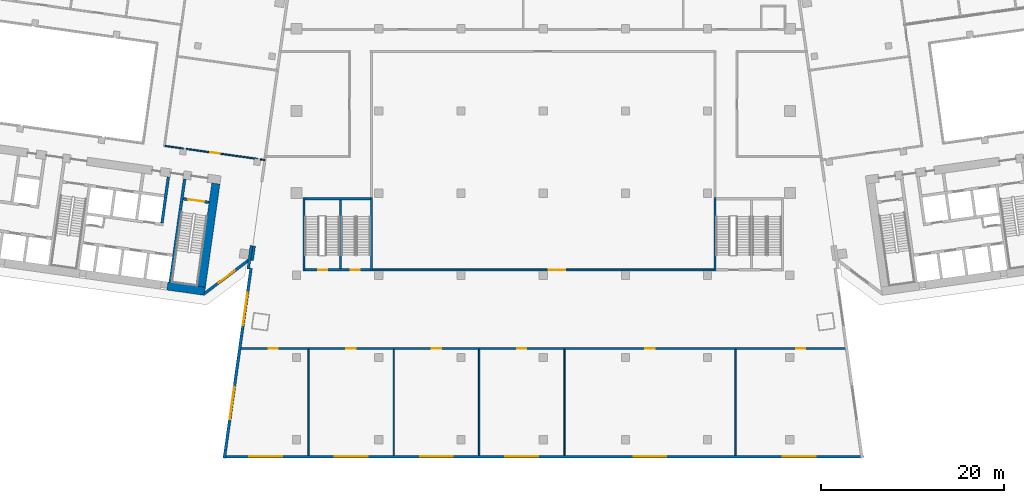
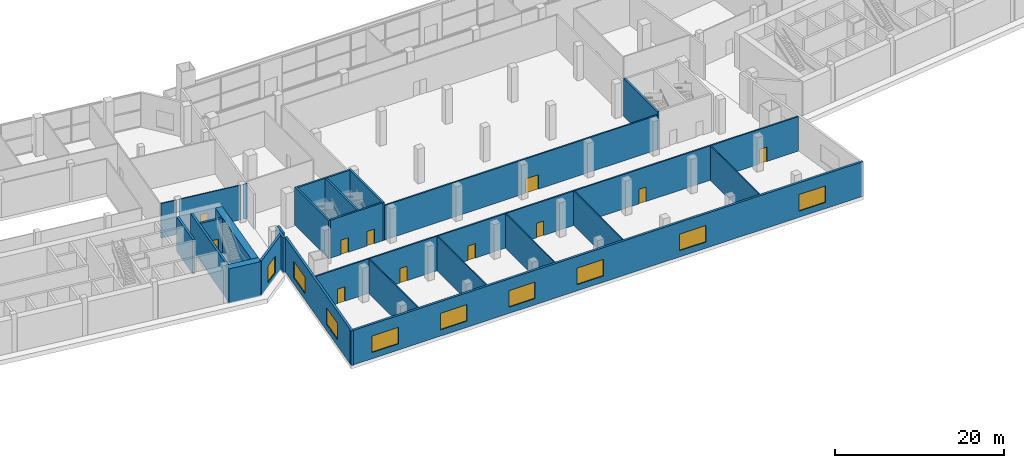
# One storey, part 13 of 23: 26 walls, 11 doors, 9 windows, 20 openings.
"""IFC4 building model written with IfcOpenShell, lengths in metres."""

from ifc_helpers import new_model, si_unit, direction, frame, frame_2d, origin, place, context, subcontext, project, spatial, rectangle, extrude, material, layer, layer_set, type_object, element, fill, save


model = new_model("IFC4")

# Units and contexts
model_context = context("Model", 3, precision=1e-05, world=origin(), true_north=direction((0.0, 1.0)))
body_context = subcontext(model_context, "Body", "Model", "MODEL_VIEW")
ifc_project = project(units=[si_unit("LENGTHUNIT", "METRE"), si_unit("AREAUNIT", "SQUARE_METRE"), si_unit("VOLUMEUNIT", "CUBIC_METRE"), si_unit("PLANEANGLEUNIT", "RADIAN"), si_unit("MASSUNIT", "GRAM", prefix="KILO")], contexts=[model_context])

# Site, building, storey
site_placement = place(None, origin())
site = spatial("IfcSite", under=ifc_project, at=site_placement, CompositionType="ELEMENT")
building_placement = place(site_placement, origin())
building = spatial("IfcBuilding", under=site, at=building_placement, Name="Mirante Cascada Hotel Towers", CompositionType="ELEMENT")
storey_placement = place(building_placement, frame((0.0, 0.0, 23.5)))
storey = spatial("IfcBuildingStorey", under=building, at=storey_placement, Name="L03", CompositionType="ELEMENT", Elevation=23.5)

# Wall
ifc_material_1 = material(Name="Masonry block", Category="masonry")
ifc_layer_1 = layer(ifc_material_1, 0.15)
ifc_layer_set_1 = layer_set([ifc_layer_1], Name="Corridor wall 150 block")
wall_type_1 = type_object("IfcWallType", Name="Corridor wall 150 block", PredefinedType="PARTITIONING", material=ifc_layer_set_1)
wall_1_placement = place(storey_placement, frame((-41.4008, -3.8311, 0.0), z_axis=(0.0, 0.0, 1.0), x_axis=(0.9902711, -0.1391512, 0.0)))
element("IfcWall", 1, at=wall_1_placement, inside=storey, type_object=wall_type_1, Name="Corridor wall T1 L03", PredefinedType="PARTITIONING", context=body_context, shape_type="SweptSolid", body=[
    extrude(rectangle(XDim=2.0108, YDim=0.15, at=frame_2d((1.0054, 0.0))), origin(), (0.0, 0.0, 1.0), 5.0),
])

# Wall, opening, door
wall_2_placement = place(storey_placement, frame((-39.0843, -4.1567, 0.0), z_axis=(0.0, 0.0, 1.0), x_axis=(0.9902676, -0.1391764, 0.0)))
wall_2 = element("IfcWall", 2, at=wall_2_placement, inside=storey, type_object=wall_type_1, Name="Corridor wall T1 L03", PredefinedType="PARTITIONING", context=body_context, shape_type="SweptSolid", body=[
    extrude(rectangle(XDim=7.8713, YDim=0.15, at=frame_2d((3.9356, 0.0))), origin(), (0.0, 0.0, 1.0), 5.0),
])
opening_1_placement = place(wall_2_placement, frame((2.6782, 0.0, 0.0)))
opening_1 = element("IfcOpeningElement", 3, at=opening_1_placement, cuts=wall_2, Name="Opening DP1-L03-01", PredefinedType="OPENING", context=body_context, shape_type="SweptSolid", body=[
    extrude(rectangle(XDim=1.0, YDim=2.1, at=frame_2d((0.5, 1.05))), frame((0.0, 0.075, 0.0), z_axis=(0.0, -1.0, 0.0), x_axis=(1.0, 0.0, 0.0)), (0.0, 0.0, 1.0), 0.15),
])
ifc_material_2 = material(Name="Timber door leaf", Category="wood")
door_type_1 = type_object("IfcDoorType", Name="Single door 1000x2100", OperationType="NOTDEFINED", PredefinedType="DOOR", material=ifc_material_2)
door_1_placement = place(opening_1_placement, frame((1.0, 0.0, 0.0), z_axis=(0.0, 0.0, 1.0), x_axis=(-1.0, 0.0, 0.0)))
door_1 = element("IfcDoor", 4, at=door_1_placement, inside=storey, type_object=door_type_1, Name="Door DP1-L03-01", OperationType="SINGLE_SWING_LEFT", OverallHeight=2.1, OverallWidth=1.0, PredefinedType="DOOR", context=body_context, shape_type="SweptSolid", body=[
    extrude(rectangle(XDim=1.0, YDim=2.1, at=frame_2d((0.5, 1.05))), frame((0.0, 0.025, 0.0), z_axis=(0.0, -1.0, 0.0), x_axis=(1.0, 0.0, 0.0)), (0.0, 0.0, 1.0), 0.05),
])
fill(opening_1, door_1)

# Wall
wall_3_placement = place(storey_placement, frame((-30.9641, -5.2979, 0.0), z_axis=(0.0, 0.0, 1.0), x_axis=(0.9902657, -0.1391899, 0.0)))
element("IfcWall", 5, at=wall_3_placement, inside=storey, type_object=wall_type_1, Name="Corridor wall T1 L03", PredefinedType="PARTITIONING", context=body_context, shape_type="SweptSolid", body=[
    extrude(rectangle(XDim=0.4957, YDim=0.15, at=frame_2d((0.2478, 0.0))), origin(), (0.0, 0.0, 1.0), 5.0),
])

# Wall, openings, doors
ifc_material_3 = material(Name="Masonry block", Category="masonry")
ifc_layer_2 = layer(ifc_material_3, 0.2)
ifc_layer_set_2 = layer_set([ifc_layer_2], Name="Hall wall 200 block")
wall_type_2 = type_object("IfcWallType", Name="Hall wall 200 block", PredefinedType="PARTITIONING", material=ifc_layer_set_2)
wall_4_placement = place(storey_placement, frame((-33.0701, -26.0, 0.0), z_axis=(0.0, 0.0, 1.0), x_axis=(1.0, 0.0, 0.0)))
wall_4 = element("IfcWall", 6, at=wall_4_placement, inside=storey, type_object=wall_type_2, Name="Hall wall P L03", PredefinedType="PARTITIONING", context=body_context, shape_type="SweptSolid", body=[
    extrude(rectangle(XDim=66.1402, YDim=0.2, at=frame_2d((33.0701, 0.0))), origin(), (0.0, 0.0, 1.0), 5.0),
])
opening_2_placement = place(wall_4_placement, frame((3.0285, 0.0, 0.0)))
opening_2 = element("IfcOpeningElement", 7, at=opening_2_placement, cuts=wall_4, Name="Opening DP-L03-09", PredefinedType="OPENING", context=body_context, shape_type="SweptSolid", body=[
    extrude(rectangle(XDim=1.0, YDim=2.1, at=frame_2d((0.5, 1.05))), frame((0.0, 0.1, 0.0), z_axis=(0.0, -1.0, 0.0), x_axis=(1.0, 0.0, 0.0)), (0.0, 0.0, 1.0), 0.2),
])
opening_3_placement = place(wall_4_placement, frame((11.5344, 0.0, 0.0)))
opening_3 = element("IfcOpeningElement", 8, at=opening_3_placement, cuts=wall_4, Name="Opening DP-L03-10", PredefinedType="OPENING", context=body_context, shape_type="SweptSolid", body=[
    extrude(rectangle(XDim=1.0, YDim=2.1, at=frame_2d((0.5, 1.05))), frame((0.0, 0.1, 0.0), z_axis=(0.0, -1.0, 0.0), x_axis=(1.0, 0.0, 0.0)), (0.0, 0.0, 1.0), 0.2),
])
opening_4_placement = place(wall_4_placement, frame((20.8836, 0.0, 0.0)))
opening_4 = element("IfcOpeningElement", 9, at=opening_4_placement, cuts=wall_4, Name="Opening DP-L03-11", PredefinedType="OPENING", context=body_context, shape_type="SweptSolid", body=[
    extrude(rectangle(XDim=1.0, YDim=2.1, at=frame_2d((0.5, 1.05))), frame((0.0, 0.1, 0.0), z_axis=(0.0, -1.0, 0.0), x_axis=(1.0, 0.0, 0.0)), (0.0, 0.0, 1.0), 0.2),
])
opening_5_placement = place(wall_4_placement, frame((30.2328, 0.0, 0.0)))
opening_5 = element("IfcOpeningElement", 10, at=opening_5_placement, cuts=wall_4, Name="Opening DP-L03-12", PredefinedType="OPENING", context=body_context, shape_type="SweptSolid", body=[
    extrude(rectangle(XDim=1.0, YDim=2.1, at=frame_2d((0.5, 1.05))), frame((0.0, 0.1, 0.0), z_axis=(0.0, -1.0, 0.0), x_axis=(1.0, 0.0, 0.0)), (0.0, 0.0, 1.0), 0.2),
])
opening_6_placement = place(wall_4_placement, frame((44.2566, 0.0, 0.0)))
opening_6 = element("IfcOpeningElement", 11, at=opening_6_placement, cuts=wall_4, Name="Opening DP-L03-13", PredefinedType="OPENING", context=body_context, shape_type="SweptSolid", body=[
    extrude(rectangle(XDim=1.0, YDim=2.1, at=frame_2d((0.5, 1.05))), frame((0.0, 0.1, 0.0), z_axis=(0.0, -1.0, 0.0), x_axis=(1.0, 0.0, 0.0)), (0.0, 0.0, 1.0), 0.2),
])
opening_7_placement = place(wall_4_placement, frame((60.7744, 0.0, 0.0)))
opening_7 = element("IfcOpeningElement", 12, at=opening_7_placement, cuts=wall_4, Name="Opening DP-L03-14", PredefinedType="OPENING", context=body_context, shape_type="SweptSolid", body=[
    extrude(rectangle(XDim=1.0, YDim=2.1, at=frame_2d((0.5, 1.05))), frame((0.0, 0.1, 0.0), z_axis=(0.0, -1.0, 0.0), x_axis=(1.0, 0.0, 0.0)), (0.0, 0.0, 1.0), 0.2),
])
door_2_placement = place(opening_2_placement, frame((1.0, 0.0, 0.0), z_axis=(0.0, 0.0, 1.0), x_axis=(-1.0, 0.0, 0.0)))
door_2 = element("IfcDoor", 13, at=door_2_placement, inside=storey, type_object=door_type_1, Name="Door DP-L03-09", OperationType="SINGLE_SWING_LEFT", OverallHeight=2.1, OverallWidth=1.0, PredefinedType="DOOR", context=body_context, shape_type="SweptSolid", body=[
    extrude(rectangle(XDim=1.0, YDim=2.1, at=frame_2d((0.5, 1.05))), frame((0.0, 0.025, 0.0), z_axis=(0.0, -1.0, 0.0), x_axis=(1.0, 0.0, 0.0)), (0.0, 0.0, 1.0), 0.05),
])
fill(opening_2, door_2)
door_3_placement = place(opening_3_placement, frame((1.0, 0.0, 0.0), z_axis=(0.0, 0.0, 1.0), x_axis=(-1.0, 0.0, 0.0)))
door_3 = element("IfcDoor", 14, at=door_3_placement, inside=storey, type_object=door_type_1, Name="Door DP-L03-10", OperationType="SINGLE_SWING_RIGHT", OverallHeight=2.1, OverallWidth=1.0, PredefinedType="DOOR", context=body_context, shape_type="SweptSolid", body=[
    extrude(rectangle(XDim=1.0, YDim=2.1, at=frame_2d((0.5, 1.05))), frame((0.0, 0.025, 0.0), z_axis=(0.0, -1.0, 0.0), x_axis=(1.0, 0.0, 0.0)), (0.0, 0.0, 1.0), 0.05),
])
fill(opening_3, door_3)
door_4_placement = place(opening_4_placement, frame((1.0, 0.0, 0.0), z_axis=(0.0, 0.0, 1.0), x_axis=(-1.0, 0.0, 0.0)))
door_4 = element("IfcDoor", 15, at=door_4_placement, inside=storey, type_object=door_type_1, Name="Door DP-L03-11", OperationType="SINGLE_SWING_LEFT", OverallHeight=2.1, OverallWidth=1.0, PredefinedType="DOOR", context=body_context, shape_type="SweptSolid", body=[
    extrude(rectangle(XDim=1.0, YDim=2.1, at=frame_2d((0.5, 1.05))), frame((0.0, 0.025, 0.0), z_axis=(0.0, -1.0, 0.0), x_axis=(1.0, 0.0, 0.0)), (0.0, 0.0, 1.0), 0.05),
])
fill(opening_4, door_4)
door_5_placement = place(opening_5_placement, frame((1.0, 0.0, 0.0), z_axis=(0.0, 0.0, 1.0), x_axis=(-1.0, 0.0, 0.0)))
door_5 = element("IfcDoor", 16, at=door_5_placement, inside=storey, type_object=door_type_1, Name="Door DP-L03-12", OperationType="SINGLE_SWING_RIGHT", OverallHeight=2.1, OverallWidth=1.0, PredefinedType="DOOR", context=body_context, shape_type="SweptSolid", body=[
    extrude(rectangle(XDim=1.0, YDim=2.1, at=frame_2d((0.5, 1.05))), frame((0.0, 0.025, 0.0), z_axis=(0.0, -1.0, 0.0), x_axis=(1.0, 0.0, 0.0)), (0.0, 0.0, 1.0), 0.05),
])
fill(opening_5, door_5)
door_6_placement = place(opening_6_placement, frame((1.0, 0.0, 0.0), z_axis=(0.0, 0.0, 1.0), x_axis=(-1.0, 0.0, 0.0)))
door_6 = element("IfcDoor", 17, at=door_6_placement, inside=storey, type_object=door_type_1, Name="Door DP-L03-13", OperationType="SINGLE_SWING_LEFT", OverallHeight=2.1, OverallWidth=1.0, PredefinedType="DOOR", context=body_context, shape_type="SweptSolid", body=[
    extrude(rectangle(XDim=1.0, YDim=2.1, at=frame_2d((0.5, 1.05))), frame((0.0, 0.025, 0.0), z_axis=(0.0, -1.0, 0.0), x_axis=(1.0, 0.0, 0.0)), (0.0, 0.0, 1.0), 0.05),
])
fill(opening_6, door_6)
door_7_placement = place(opening_7_placement, frame((1.0, 0.0, 0.0), z_axis=(0.0, 0.0, 1.0), x_axis=(-1.0, 0.0, 0.0)))
door_7 = element("IfcDoor", 18, at=door_7_placement, inside=storey, type_object=door_type_1, Name="Door DP-L03-14", OperationType="SINGLE_SWING_RIGHT", OverallHeight=2.1, OverallWidth=1.0, PredefinedType="DOOR", context=body_context, shape_type="SweptSolid", body=[
    extrude(rectangle(XDim=1.0, YDim=2.1, at=frame_2d((0.5, 1.05))), frame((0.0, 0.025, 0.0), z_axis=(0.0, -1.0, 0.0), x_axis=(1.0, 0.0, 0.0)), (0.0, 0.0, 1.0), 0.05),
])
fill(opening_7, door_7)

# Wall, opening, door
wall_5_placement = place(storey_placement, frame((-18.685, -17.4, 0.0), z_axis=(0.0, 0.0, 1.0), x_axis=(1.0, 0.0, 0.0)))
wall_5 = element("IfcWall", 19, at=wall_5_placement, inside=storey, type_object=wall_type_2, Name="Hall wall P L03", PredefinedType="PARTITIONING", context=body_context, shape_type="SweptSolid", body=[
    extrude(rectangle(XDim=37.37, YDim=0.2, at=frame_2d((18.685, 0.0))), origin(), (0.0, 0.0, 1.0), 5.0),
])
opening_8_placement = place(wall_5_placement, frame((19.285, 0.0, 0.0)))
opening_8 = element("IfcOpeningElement", 20, at=opening_8_placement, cuts=wall_5, Name="Opening DP-L03-05", PredefinedType="OPENING", context=body_context, shape_type="SweptSolid", body=[
    extrude(rectangle(XDim=1.8, YDim=2.1, at=frame_2d((0.9, 1.05))), frame((0.0, 0.1, 0.0), z_axis=(0.0, -1.0, 0.0), x_axis=(1.0, 0.0, 0.0)), (0.0, 0.0, 1.0), 0.2),
])
ifc_material_4 = material(Name="Timber door leaf", Category="wood")
door_type_2 = type_object("IfcDoorType", Name="Double door 1800x2100", OperationType="DOUBLE_DOOR_SINGLE_SWING", PredefinedType="DOOR", material=ifc_material_4)
door_8_placement = place(opening_8_placement, origin())
door_8 = element("IfcDoor", 21, at=door_8_placement, inside=storey, type_object=door_type_2, Name="Door DP-L03-05", OperationType="DOUBLE_DOOR_SINGLE_SWING", OverallHeight=2.1, OverallWidth=1.8, PredefinedType="DOOR", context=body_context, shape_type="SweptSolid", body=[
    extrude(rectangle(XDim=0.895, YDim=2.1, at=frame_2d((0.4475, 1.05))), frame((0.0, 0.025, 0.0), z_axis=(0.0, -1.0, 0.0), x_axis=(1.0, 0.0, 0.0)), (0.0, 0.0, 1.0), 0.05),
    extrude(rectangle(XDim=0.895, YDim=2.1, at=frame_2d((1.3525, 1.05))), frame((0.0, 0.025, 0.0), z_axis=(0.0, -1.0, 0.0), x_axis=(1.0, 0.0, 0.0)), (0.0, 0.0, 1.0), 0.05),
])
fill(opening_8, door_8)

# Walls
ifc_material_5 = material(Name="Masonry block", Category="masonry")
ifc_layer_3 = layer(ifc_material_5, 0.15)
ifc_layer_set_3 = layer_set([ifc_layer_3], Name="Partition 150 block")
wall_type_3 = type_object("IfcWallType", Name="Partition 150 block", PredefinedType="PARTITIONING", material=ifc_layer_set_3)
for number, where, z_axis, x_axis, name in (
    (22, (21.0357, -37.7, 0.0), (0.0, 0.0, 1.0), (0.0, 1.0, 0.0), "Partition P L03"),
    (23, (2.3373, -37.7, 0.0), (0.0, 0.0, 1.0), (0.0, 1.0, 0.0), "Partition P L03"),
    (24, (-7.0119, -37.7, 0.0), (0.0, 0.0, 1.0), (0.0, 1.0, 0.0), "Partition P L03"),
    (25, (-16.3611, -37.7, 0.0), (0.0, 0.0, 1.0), (0.0, 1.0, 0.0), "Partition P L03"),
    (26, (-25.7103, -37.7, 0.0), (0.0, 0.0, 1.0), (0.0, 1.0, 0.0), "Partition P L03"),
):
    element("IfcWall", number, at=place(storey_placement, frame(where, z_axis=z_axis, x_axis=x_axis)), inside=storey, type_object=wall_type_3, Name=name, PredefinedType="PARTITIONING", context=body_context, shape_type="SweptSolid", body=[
        extrude(rectangle(XDim=11.6, YDim=0.15, at=frame_2d((5.8, 0.0))), origin(), (0.0, 0.0, 1.0), 5.0),
    ])

# Wall, opening, window
ifc_material_6 = material(Name="Precast concrete C40/50", Category="concrete")
ifc_layer_4 = layer(ifc_material_6, 0.3)
ifc_layer_set_4 = layer_set([ifc_layer_4], Name="Precast concrete C40/50 cladding wall 300")
wall_type_4 = type_object("IfcWallType", Name="Precast concrete C40/50 cladding wall 300", PredefinedType="STANDARD", material=ifc_layer_set_4)
wall_6_placement = place(storey_placement, frame((-32.2074, -16.3138, 0.0), z_axis=(0.0, 0.0, 1.0), x_axis=(-0.7986362, -0.6018141, 0.0)))
wall_6 = element("IfcWall", 27, at=wall_6_placement, inside=storey, type_object=wall_type_4, Name="Corner cladding wall T1 L03 inner rear", PredefinedType="STANDARD", context=body_context, shape_type="SweptSolid", body=[
    extrude(rectangle(XDim=6.1157, YDim=0.3, at=frame_2d((3.0578, 0.0))), origin(), (0.0, 0.0, 1.0), 5.0),
])
opening_9_placement = place(wall_6_placement, frame((1.9578, 0.0, 0.6)))
opening_9 = element("IfcOpeningElement", 28, at=opening_9_placement, cuts=wall_6, Name="Opening W1-03-05", PredefinedType="OPENING", context=body_context, shape_type="SweptSolid", body=[
    extrude(rectangle(XDim=2.2, YDim=2.4, at=frame_2d((1.1, 1.2))), frame((0.0, 0.15, 0.0), z_axis=(0.0, -1.0, 0.0), x_axis=(1.0, 0.0, 0.0)), (0.0, 0.0, 1.0), 0.3),
])
ifc_material_7 = material(Name="Aluminium frame with clear double glazing", Category="aluminium")
window_type_1 = type_object("IfcWindowType", Name="Corner suite window 2200x2400", PartitioningType="DOUBLE_PANEL_VERTICAL", PredefinedType="WINDOW", material=ifc_material_7)
window_1_placement = place(opening_9_placement, origin())
window_1 = element("IfcWindow", 29, at=window_1_placement, inside=storey, type_object=window_type_1, Name="Window W1-03-05", OverallHeight=2.4, OverallWidth=2.2, PartitioningType="SINGLE_PANEL", PredefinedType="WINDOW", context=body_context, shape_type="SweptSolid", body=[
    extrude(rectangle(XDim=2.2, YDim=2.4, at=frame_2d((1.1, 1.2))), frame((0.0, 0.03, 0.0), z_axis=(0.0, -1.0, 0.0), x_axis=(1.0, 0.0, 0.0)), (0.0, 0.0, 1.0), 0.06),
])
fill(opening_9, window_1)

# Wall, openings, windows
wall_7_placement = place(storey_placement, frame((-35.0595, -37.85, 0.0), z_axis=(0.0, 0.0, 1.0), x_axis=(1.0, 0.0, 0.0)))
wall_7 = element("IfcWall", 30, at=wall_7_placement, inside=storey, type_object=wall_type_4, Name="Podium cladding wall L03 P:L03:1", PredefinedType="STANDARD", context=body_context, shape_type="SweptSolid", body=[
    extrude(rectangle(XDim=70.119, YDim=0.3, at=frame_2d((35.0595, 0.0))), origin(), (0.0, 0.0, 1.0), 5.0),
])
opening_10_placement = place(wall_7_placement, frame((2.8746, 0.0, 0.9)))
opening_10 = element("IfcOpeningElement", 31, at=opening_10_placement, cuts=wall_7, Name="Opening WP-03-01", PredefinedType="OPENING", context=body_context, shape_type="SweptSolid", body=[
    extrude(rectangle(XDim=3.6, YDim=2.4, at=frame_2d((1.8, 1.2))), frame((0.0, 0.15, 0.0), z_axis=(0.0, -1.0, 0.0), x_axis=(1.0, 0.0, 0.0)), (0.0, 0.0, 1.0), 0.3),
])
opening_11_placement = place(wall_7_placement, frame((12.2238, 0.0, 0.9)))
opening_11 = element("IfcOpeningElement", 32, at=opening_11_placement, cuts=wall_7, Name="Opening WP-03-02", PredefinedType="OPENING", context=body_context, shape_type="SweptSolid", body=[
    extrude(rectangle(XDim=3.6, YDim=2.4, at=frame_2d((1.8, 1.2))), frame((0.0, 0.15, 0.0), z_axis=(0.0, -1.0, 0.0), x_axis=(1.0, 0.0, 0.0)), (0.0, 0.0, 1.0), 0.3),
])
opening_12_placement = place(wall_7_placement, frame((21.573, 0.0, 0.9)))
opening_12 = element("IfcOpeningElement", 33, at=opening_12_placement, cuts=wall_7, Name="Opening WP-03-03", PredefinedType="OPENING", context=body_context, shape_type="SweptSolid", body=[
    extrude(rectangle(XDim=3.6, YDim=2.4, at=frame_2d((1.8, 1.2))), frame((0.0, 0.15, 0.0), z_axis=(0.0, -1.0, 0.0), x_axis=(1.0, 0.0, 0.0)), (0.0, 0.0, 1.0), 0.3),
])
opening_13_placement = place(wall_7_placement, frame((30.9222, 0.0, 0.9)))
opening_13 = element("IfcOpeningElement", 34, at=opening_13_placement, cuts=wall_7, Name="Opening WP-03-04", PredefinedType="OPENING", context=body_context, shape_type="SweptSolid", body=[
    extrude(rectangle(XDim=3.6, YDim=2.4, at=frame_2d((1.8, 1.2))), frame((0.0, 0.15, 0.0), z_axis=(0.0, -1.0, 0.0), x_axis=(1.0, 0.0, 0.0)), (0.0, 0.0, 1.0), 0.3),
])
opening_14_placement = place(wall_7_placement, frame((44.946, 0.0, 0.9)))
opening_14 = element("IfcOpeningElement", 35, at=opening_14_placement, cuts=wall_7, Name="Opening WP-03-05", PredefinedType="OPENING", context=body_context, shape_type="SweptSolid", body=[
    extrude(rectangle(XDim=3.6, YDim=2.4, at=frame_2d((1.8, 1.2))), frame((0.0, 0.15, 0.0), z_axis=(0.0, -1.0, 0.0), x_axis=(1.0, 0.0, 0.0)), (0.0, 0.0, 1.0), 0.3),
])
opening_15_placement = place(wall_7_placement, frame((61.307, 0.0, 0.9)))
opening_15 = element("IfcOpeningElement", 36, at=opening_15_placement, cuts=wall_7, Name="Opening WP-03-06", PredefinedType="OPENING", context=body_context, shape_type="SweptSolid", body=[
    extrude(rectangle(XDim=3.6, YDim=2.4, at=frame_2d((1.8, 1.2))), frame((0.0, 0.15, 0.0), z_axis=(0.0, -1.0, 0.0), x_axis=(1.0, 0.0, 0.0)), (0.0, 0.0, 1.0), 0.3),
])
ifc_material_8 = material(Name="Aluminium frame with clear double glazing", Category="aluminium")
window_type_2 = type_object("IfcWindowType", Name="Podium punched window 3600x2400", PartitioningType="DOUBLE_PANEL_VERTICAL", PredefinedType="WINDOW", material=ifc_material_8)
window_2_placement = place(opening_10_placement, origin())
window_2 = element("IfcWindow", 37, at=window_2_placement, inside=storey, type_object=window_type_2, Name="Window WP-03-01", OverallHeight=2.4, OverallWidth=3.6, PartitioningType="SINGLE_PANEL", PredefinedType="WINDOW", context=body_context, shape_type="SweptSolid", body=[
    extrude(rectangle(XDim=3.6, YDim=2.4, at=frame_2d((1.8, 1.2))), frame((0.0, 0.03, 0.0), z_axis=(0.0, -1.0, 0.0), x_axis=(1.0, 0.0, 0.0)), (0.0, 0.0, 1.0), 0.06),
])
fill(opening_10, window_2)
window_3_placement = place(opening_11_placement, origin())
window_3 = element("IfcWindow", 38, at=window_3_placement, inside=storey, type_object=window_type_2, Name="Window WP-03-02", OverallHeight=2.4, OverallWidth=3.6, PartitioningType="SINGLE_PANEL", PredefinedType="WINDOW", context=body_context, shape_type="SweptSolid", body=[
    extrude(rectangle(XDim=3.6, YDim=2.4, at=frame_2d((1.8, 1.2))), frame((0.0, 0.03, 0.0), z_axis=(0.0, -1.0, 0.0), x_axis=(1.0, 0.0, 0.0)), (0.0, 0.0, 1.0), 0.06),
])
fill(opening_11, window_3)
window_4_placement = place(opening_12_placement, origin())
window_4 = element("IfcWindow", 39, at=window_4_placement, inside=storey, type_object=window_type_2, Name="Window WP-03-03", OverallHeight=2.4, OverallWidth=3.6, PartitioningType="SINGLE_PANEL", PredefinedType="WINDOW", context=body_context, shape_type="SweptSolid", body=[
    extrude(rectangle(XDim=3.6, YDim=2.4, at=frame_2d((1.8, 1.2))), frame((0.0, 0.03, 0.0), z_axis=(0.0, -1.0, 0.0), x_axis=(1.0, 0.0, 0.0)), (0.0, 0.0, 1.0), 0.06),
])
fill(opening_12, window_4)
window_5_placement = place(opening_13_placement, origin())
window_5 = element("IfcWindow", 40, at=window_5_placement, inside=storey, type_object=window_type_2, Name="Window WP-03-04", OverallHeight=2.4, OverallWidth=3.6, PartitioningType="SINGLE_PANEL", PredefinedType="WINDOW", context=body_context, shape_type="SweptSolid", body=[
    extrude(rectangle(XDim=3.6, YDim=2.4, at=frame_2d((1.8, 1.2))), frame((0.0, 0.03, 0.0), z_axis=(0.0, -1.0, 0.0), x_axis=(1.0, 0.0, 0.0)), (0.0, 0.0, 1.0), 0.06),
])
fill(opening_13, window_5)
window_6_placement = place(opening_14_placement, origin())
window_6 = element("IfcWindow", 41, at=window_6_placement, inside=storey, type_object=window_type_2, Name="Window WP-03-05", OverallHeight=2.4, OverallWidth=3.6, PartitioningType="SINGLE_PANEL", PredefinedType="WINDOW", context=body_context, shape_type="SweptSolid", body=[
    extrude(rectangle(XDim=3.6, YDim=2.4, at=frame_2d((1.8, 1.2))), frame((0.0, 0.03, 0.0), z_axis=(0.0, -1.0, 0.0), x_axis=(1.0, 0.0, 0.0)), (0.0, 0.0, 1.0), 0.06),
])
fill(opening_14, window_6)
window_7_placement = place(opening_15_placement, origin())
window_7 = element("IfcWindow", 42, at=window_7_placement, inside=storey, type_object=window_type_2, Name="Window WP-03-06", OverallHeight=2.4, OverallWidth=3.6, PartitioningType="SINGLE_PANEL", PredefinedType="WINDOW", context=body_context, shape_type="SweptSolid", body=[
    extrude(rectangle(XDim=3.6, YDim=2.4, at=frame_2d((1.8, 1.2))), frame((0.0, 0.03, 0.0), z_axis=(0.0, -1.0, 0.0), x_axis=(1.0, 0.0, 0.0)), (0.0, 0.0, 1.0), 0.06),
])
fill(opening_15, window_7)

wall_8_placement = place(storey_placement, frame((-31.9876, -17.2201, 0.0), z_axis=(0.0, 0.0, 1.0), x_axis=(-0.1391749, -0.9902678, 0.0)))
wall_8 = element("IfcWall", 43, at=wall_8_placement, inside=storey, type_object=wall_type_4, Name="Podium cladding wall L03 P:L03:4", PredefinedType="STANDARD", context=body_context, shape_type="SweptSolid", body=[
    extrude(rectangle(XDim=21.0052, YDim=0.3, at=frame_2d((10.5026, 0.0))), origin(), (0.0, 0.0, 1.0), 5.0),
])
opening_16_placement = place(wall_8_placement, frame((2.6994, 0.0, 0.9)))
opening_16 = element("IfcOpeningElement", 44, at=opening_16_placement, cuts=wall_8, Name="Opening WP-03-09", PredefinedType="OPENING", context=body_context, shape_type="SweptSolid", body=[
    extrude(rectangle(XDim=3.6, YDim=2.4, at=frame_2d((1.8, 1.2))), frame((0.0, 0.15, 0.0), z_axis=(0.0, -1.0, 0.0), x_axis=(1.0, 0.0, 0.0)), (0.0, 0.0, 1.0), 0.3),
])
opening_17_placement = place(wall_8_placement, frame((13.1006, 0.0, 0.9)))
opening_17 = element("IfcOpeningElement", 45, at=opening_17_placement, cuts=wall_8, Name="Opening WP-03-10", PredefinedType="OPENING", context=body_context, shape_type="SweptSolid", body=[
    extrude(rectangle(XDim=3.6, YDim=2.4, at=frame_2d((1.8, 1.2))), frame((0.0, 0.15, 0.0), z_axis=(0.0, -1.0, 0.0), x_axis=(1.0, 0.0, 0.0)), (0.0, 0.0, 1.0), 0.3),
])
window_8_placement = place(opening_16_placement, origin())
window_8 = element("IfcWindow", 46, at=window_8_placement, inside=storey, type_object=window_type_2, Name="Window WP-03-09", OverallHeight=2.4, OverallWidth=3.6, PartitioningType="SINGLE_PANEL", PredefinedType="WINDOW", context=body_context, shape_type="SweptSolid", body=[
    extrude(rectangle(XDim=3.6, YDim=2.4, at=frame_2d((1.8, 1.2))), frame((0.0, 0.03, 0.0), z_axis=(0.0, -1.0, 0.0), x_axis=(1.0, 0.0, 0.0)), (0.0, 0.0, 1.0), 0.06),
])
fill(opening_16, window_8)
window_9_placement = place(opening_17_placement, origin())
window_9 = element("IfcWindow", 47, at=window_9_placement, inside=storey, type_object=window_type_2, Name="Window WP-03-10", OverallHeight=2.4, OverallWidth=3.6, PartitioningType="SINGLE_PANEL", PredefinedType="WINDOW", context=body_context, shape_type="SweptSolid", body=[
    extrude(rectangle(XDim=3.6, YDim=2.4, at=frame_2d((1.8, 1.2))), frame((0.0, 0.03, 0.0), z_axis=(0.0, -1.0, 0.0), x_axis=(1.0, 0.0, 0.0)), (0.0, 0.0, 1.0), 0.06),
])
fill(opening_17, window_9)

# Walls
wall_9_placement = place(storey_placement, frame((-32.3027, -17.3071, 0.0), z_axis=(0.0, 0.0, 1.0), x_axis=(0.1391652, 0.9902692, 0.0)))
element("IfcWall", 48, at=wall_9_placement, inside=storey, type_object=wall_type_4, Name="Corner closure wall L03 3.1", PredefinedType="STANDARD", context=body_context, shape_type="SweptSolid", body=[
    extrude(rectangle(XDim=2.5818, YDim=0.3, at=frame_2d((1.2909, 0.0))), origin(), (0.0, 0.0, 1.0), 5.0),
])
wall_10_placement = place(storey_placement, frame((-31.6463, -14.7921, 0.0), z_axis=(0.0, 0.0, 1.0), x_axis=(-0.1392118, -0.9902626, 0.0)))
element("IfcWall", 49, at=wall_10_placement, inside=storey, type_object=wall_type_4, Name="Corner closure wall L03 5.1", PredefinedType="STANDARD", context=body_context, shape_type="SweptSolid", body=[
    extrude(rectangle(XDim=1.6033, YDim=0.3, at=frame_2d((0.8016, 0.0))), origin(), (0.0, 0.0, 1.0), 5.0),
])
ifc_material_9 = material(Name="Concrete C50/60", Category="concrete")
ifc_layer_5 = layer(ifc_material_9, 0.3)
ifc_layer_set_5 = layer_set([ifc_layer_5], Name="RC core wall 300 C50/60")
wall_type_5 = type_object("IfcWallType", Name="RC core wall 300 C50/60", PredefinedType="SHEAR", material=ifc_layer_set_5)
wall_11_placement = place(storey_placement, frame((-40.8373, -18.7548, 0.0), z_axis=(0.0, 0.0, 1.0), x_axis=(0.1391749, 0.9902678, 0.0)))
element("IfcWall", 50, at=wall_11_placement, inside=storey, type_object=wall_type_5, Name="Core wall T1:L03:5", PredefinedType="SHEAR", context=body_context, shape_type="SweptSolid", body=[
    extrude(rectangle(XDim=11.4, YDim=0.3, at=frame_2d((5.7, 0.0))), origin(), (0.0, 0.0, 1.0), 5.0),
])

# Wall, opening, door
wall_12_placement = place(storey_placement, frame((-36.5791, -10.0123, 0.0), z_axis=(0.0, 0.0, 1.0), x_axis=(-0.9902704, 0.1391564, 0.0)))
wall_12 = element("IfcWall", 51, at=wall_12_placement, inside=storey, type_object=wall_type_5, Name="Core wall T1:L03:9", PredefinedType="SHEAR", context=body_context, shape_type="SweptSolid", body=[
    extrude(rectangle(XDim=2.85, YDim=0.3, at=frame_2d((1.425, 0.0))), origin(), (0.0, 0.0, 1.0), 5.0),
])
opening_18_placement = place(wall_12_placement, frame((0.525, 0.0, 0.0)))
opening_18 = element("IfcOpeningElement", 52, at=opening_18_placement, cuts=wall_12, Name="Opening D1-03-C16", PredefinedType="OPENING", context=body_context, shape_type="SweptSolid", body=[
    extrude(rectangle(XDim=1.8, YDim=2.1, at=frame_2d((0.9, 1.05))), frame((0.0, 0.15, 0.0), z_axis=(0.0, -1.0, 0.0), x_axis=(1.0, 0.0, 0.0)), (0.0, 0.0, 1.0), 0.3),
])
ifc_material_10 = material(Name="Hollow metal fire door leaf")
door_type_3 = type_object("IfcDoorType", Name="Double fire door 1800x2100 FD60", OperationType="DOUBLE_DOOR_SINGLE_SWING", PredefinedType="DOOR", material=ifc_material_10)
door_9_placement = place(opening_18_placement, origin())
door_9 = element("IfcDoor", 53, at=door_9_placement, inside=storey, type_object=door_type_3, Name="Stair door T1 L03 16", OperationType="DOUBLE_DOOR_SINGLE_SWING", OverallHeight=2.1, OverallWidth=1.8, PredefinedType="DOOR", context=body_context, shape_type="SweptSolid", body=[
    extrude(rectangle(XDim=0.895, YDim=2.1, at=frame_2d((0.4475, 1.05))), frame((0.0, 0.025, 0.0), z_axis=(0.0, -1.0, 0.0), x_axis=(1.0, 0.0, 0.0)), (0.0, 0.0, 1.0), 0.05),
    extrude(rectangle(XDim=0.895, YDim=2.1, at=frame_2d((1.3525, 1.05))), frame((0.0, 0.025, 0.0), z_axis=(0.0, -1.0, 0.0), x_axis=(1.0, 0.0, 0.0)), (0.0, 0.0, 1.0), 0.05),
])
fill(opening_18, door_9)

# Walls
wall_13_placement = place(storey_placement, frame((-41.743, -12.2656, 0.0), z_axis=(0.0, 0.0, 1.0), x_axis=(0.1391755, 0.9902677, 0.0)))
element("IfcWall", 54, at=wall_13_placement, inside=storey, type_object=wall_type_5, Name="Core wall T1:L03:20", PredefinedType="SHEAR", context=body_context, shape_type="SweptSolid", body=[
    extrude(rectangle(XDim=5.1, YDim=0.3, at=frame_2d((2.55, 0.0))), origin(), (0.0, 0.0, 1.0), 5.0),
])
ifc_material_11 = material(Name="Concrete C50/60", Category="concrete")
ifc_layer_6 = layer(ifc_material_11, 0.9)
ifc_layer_set_6 = layer_set([ifc_layer_6], Name="RC core wall 900 C50/60")
wall_type_6 = type_object("IfcWallType", Name="RC core wall 900 C50/60", PredefinedType="SHEAR", material=ifc_layer_set_6)
wall_14_placement = place(storey_placement, frame((-37.0379, -19.7432, 0.0), z_axis=(0.0, 0.0, 1.0), x_axis=(-0.990267, 0.139181, 0.0)))
element("IfcWall", 55, at=wall_14_placement, inside=storey, type_object=wall_type_6, Name="Core wall T1:L03:1.1", PredefinedType="SHEAR", context=body_context, shape_type="SweptSolid", body=[
    extrude(rectangle(XDim=4.15, YDim=0.9, at=frame_2d((2.075, 0.0))), origin(), (0.0, 0.0, 1.0), 5.0),
])
wall_15_placement = place(storey_placement, frame((-37.4209, -19.2349, 0.0), z_axis=(0.0, 0.0, 1.0), x_axis=(0.1391761, 0.9902677, 0.0)))
element("IfcWall", 56, at=wall_15_placement, inside=storey, type_object=wall_type_6, Name="Core wall T1:L03:3", PredefinedType="SHEAR", context=body_context, shape_type="SweptSolid", body=[
    extrude(rectangle(XDim=11.3999, YDim=0.9, at=frame_2d((5.7, 0.0))), origin(), (0.0, 0.0, 1.0), 5.0),
])

# Wall, openings, doors
ifc_material_12 = material(Name="Concrete C35/45", Category="concrete")
ifc_layer_7 = layer(ifc_material_12, 0.25)
ifc_layer_set_7 = layer_set([ifc_layer_7], Name="Stair wall 250 concrete C35/45 EI 120")
wall_type_7 = type_object("IfcWallType", Name="Stair wall 250 concrete C35/45 EI 120", PredefinedType="STANDARD", material=ifc_layer_set_7)
wall_16_placement = place(storey_placement, frame((-26.085, -17.4, 0.0), z_axis=(0.0, 0.0, 1.0), x_axis=(1.0, 0.0, 0.0)))
wall_16 = element("IfcWall", 57, at=wall_16_placement, inside=storey, type_object=wall_type_7, Name="Stair wall P L03", PredefinedType="STANDARD", context=body_context, shape_type="SweptSolid", body=[
    extrude(rectangle(XDim=7.17, YDim=0.25, at=frame_2d((3.585, 0.0))), origin(), (0.0, 0.0, 1.0), 5.5),
])
opening_19_placement = place(wall_16_placement, frame((5.0275, 0.0, 0.0)))
opening_19 = element("IfcOpeningElement", 58, at=opening_19_placement, cuts=wall_16, Name="Opening DP-L03-01", PredefinedType="OPENING", context=body_context, shape_type="SweptSolid", body=[
    extrude(rectangle(XDim=1.0, YDim=2.1, at=frame_2d((0.5, 1.05))), frame((0.0, 0.125, 0.0), z_axis=(0.0, -1.0, 0.0), x_axis=(1.0, 0.0, 0.0)), (0.0, 0.0, 1.0), 0.25),
])
opening_20_placement = place(wall_16_placement, frame((1.4425, 0.0, 0.0)))
opening_20 = element("IfcOpeningElement", 59, at=opening_20_placement, cuts=wall_16, Name="Opening DP-L03-02", PredefinedType="OPENING", context=body_context, shape_type="SweptSolid", body=[
    extrude(rectangle(XDim=1.0, YDim=2.1, at=frame_2d((0.5, 1.05))), frame((0.0, 0.125, 0.0), z_axis=(0.0, -1.0, 0.0), x_axis=(1.0, 0.0, 0.0)), (0.0, 0.0, 1.0), 0.25),
])
ifc_material_13 = material(Name="Hollow metal fire door leaf")
door_type_4 = type_object("IfcDoorType", Name="Fire door 1000x2100 FD60", OperationType="NOTDEFINED", PredefinedType="DOOR", material=ifc_material_13)
door_10_placement = place(opening_19_placement, origin())
door_10 = element("IfcDoor", 60, at=door_10_placement, inside=storey, type_object=door_type_4, Name="Door DP-L03-01", OperationType="SINGLE_SWING_LEFT", OverallHeight=2.1, OverallWidth=1.0, PredefinedType="DOOR", context=body_context, shape_type="SweptSolid", body=[
    extrude(rectangle(XDim=1.0, YDim=2.1, at=frame_2d((0.5, 1.05))), frame((0.0, 0.025, 0.0), z_axis=(0.0, -1.0, 0.0), x_axis=(1.0, 0.0, 0.0)), (0.0, 0.0, 1.0), 0.05),
])
fill(opening_19, door_10)
door_11_placement = place(opening_20_placement, origin())
door_11 = element("IfcDoor", 61, at=door_11_placement, inside=storey, type_object=door_type_4, Name="Door DP-L03-02", OperationType="SINGLE_SWING_RIGHT", OverallHeight=2.1, OverallWidth=1.0, PredefinedType="DOOR", context=body_context, shape_type="SweptSolid", body=[
    extrude(rectangle(XDim=1.0, YDim=2.1, at=frame_2d((0.5, 1.05))), frame((0.0, 0.025, 0.0), z_axis=(0.0, -1.0, 0.0), x_axis=(1.0, 0.0, 0.0)), (0.0, 0.0, 1.0), 0.05),
])
fill(opening_20, door_11)

# Walls
wall_17_placement = place(storey_placement, frame((-26.075, -9.6, 0.0), z_axis=(0.0, 0.0, 1.0), x_axis=(1.0, 0.0, 0.0)))
element("IfcWall", 62, at=wall_17_placement, inside=storey, type_object=wall_type_7, Name="Stair wall P L03", PredefinedType="STANDARD", context=body_context, shape_type="SweptSolid", body=[
    extrude(rectangle(XDim=7.15, YDim=0.25, at=frame_2d((3.575, 0.0))), origin(), (0.0, 0.0, 1.0), 5.5),
])
for number, where, z_axis, x_axis, name in (
    (63, (18.8, -17.525, 0.0), (0.0, 0.0, 1.0), (0.0, 1.0, 0.0), "Stair wall P L03"),
    (64, (-18.8, -17.525, 0.0), (0.0, 0.0, 1.0), (0.0, 1.0, 0.0), "Stair wall P L03"),
):
    element("IfcWall", number, at=place(storey_placement, frame(where, z_axis=z_axis, x_axis=x_axis)), inside=storey, type_object=wall_type_7, Name=name, PredefinedType="STANDARD", context=body_context, shape_type="SweptSolid", body=[
        extrude(rectangle(XDim=8.05, YDim=0.25, at=frame_2d((4.025, 0.0))), origin(), (0.0, 0.0, 1.0), 5.5),
    ])
wall_18_placement = place(storey_placement, frame((-22.2, -17.275, 0.0), z_axis=(0.0, 0.0, 1.0), x_axis=(0.0, 1.0, 0.0)))
element("IfcWall", 65, at=wall_18_placement, inside=storey, type_object=wall_type_7, Name="Stair wall P L03", PredefinedType="STANDARD", context=body_context, shape_type="SweptSolid", body=[
    extrude(rectangle(XDim=7.55, YDim=0.25, at=frame_2d((3.775, 0.0))), origin(), (0.0, 0.0, 1.0), 5.5),
])
wall_19_placement = place(storey_placement, frame((-26.2, -17.525, 0.0), z_axis=(0.0, 0.0, 1.0), x_axis=(0.0, 1.0, 0.0)))
element("IfcWall", 66, at=wall_19_placement, inside=storey, type_object=wall_type_7, Name="Stair wall P L03", PredefinedType="STANDARD", context=body_context, shape_type="SweptSolid", body=[
    extrude(rectangle(XDim=8.05, YDim=0.25, at=frame_2d((4.025, 0.0))), origin(), (0.0, 0.0, 1.0), 5.5),
])

save(model, "model.ifc")
